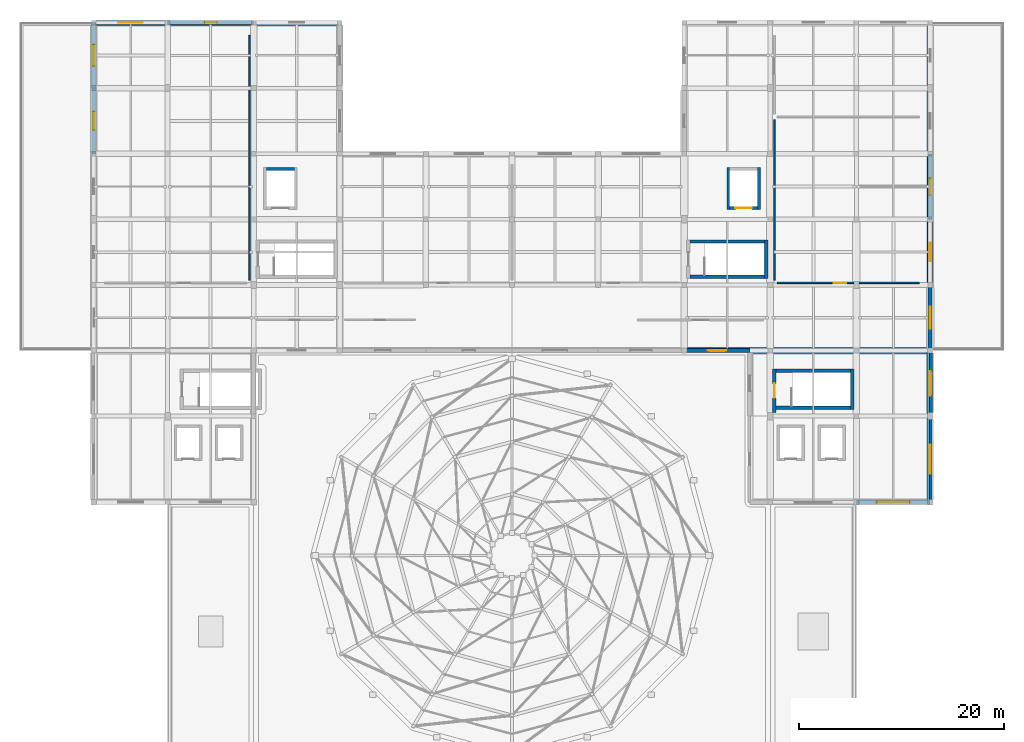
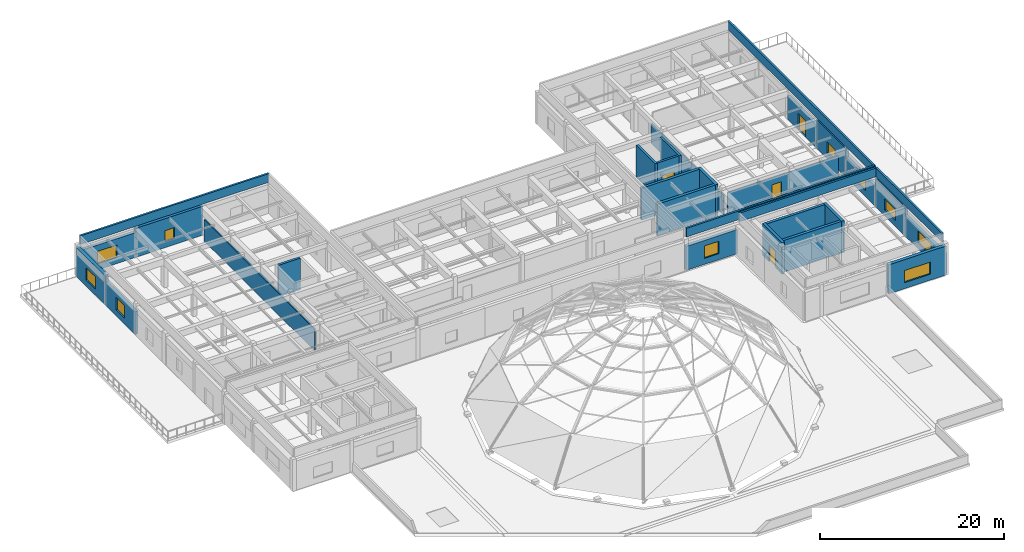
# One storey, part 13 of 18: 30 walls, 10 windows, 4 doors, 14 openings.
"""IFC4 building model written with IfcOpenShell, lengths in metres."""

import ifcopenshell
import ifcopenshell.guid

model = None  # the IFC model being written
_history = None  # IfcOwnerHistory: only IFC2X3 demands one
_inside = {}  # id of a spatial element -> (the spatial element, [elements in it])
_under = {}  # id of a project, library or spatial element -> (it, [spatial elements below it])
_declared = {}  # id of a project -> (the project, [libraries it declares])
_typed = {}  # id of a type object -> (the type object, [elements of that type])
_made_of = {}  # id of a material, layer set ... -> (it, [elements and type objects made of it])


def new_model(schema):
    """Start an empty IFC model of exactly this schema.

    Asked for "IFC4X3", IfcOpenShell would pick the latest addendum, in which some entities
    have other attributes; the version numbers below select the first issue.
    IFC2X3 requires an IfcOwnerHistory on every rooted entity: one is made here for all.
    """
    global model, _history
    if schema == "IFC4X3":
        model = ifcopenshell.file(schema_version=(4, 3, 0, 0))
    else:
        model = ifcopenshell.file(schema=schema)
    _inside.clear()
    _under.clear()
    _declared.clear()
    _typed.clear()
    _made_of.clear()
    _history = None
    if model.schema == "IFC2X3":
        org = make("IfcOrganization", Name="unknown")
        user = make(
            "IfcPersonAndOrganization",
            ThePerson=make("IfcPerson", FamilyName="unknown"),
            TheOrganization=org,
        )
        app = make(
            "IfcApplication",
            ApplicationDeveloper=org,
            Version="unknown",
            ApplicationFullName="unknown",
            ApplicationIdentifier="unknown",
        )
        _history = make(
            "IfcOwnerHistory",
            OwningUser=user,
            OwningApplication=app,
            ChangeAction="ADDED",
            CreationDate=0,
        )
    return model


def make(cls, **values):
    """One entity of the class cls with the attributes given. An attribute that is None is left unset."""
    return model.create_entity(
        cls, **{name: value for name, value in values.items() if value is not None}
    )


def rooted(cls, **values):
    """An entity with a GlobalId (a new one), such as an element, a storey or a relation."""
    return make(cls, GlobalId=ifcopenshell.guid.new(), OwnerHistory=_history, **values)


def si_unit(unit_type, name, prefix=None):
    """IfcSIUnit, for example si_unit("LENGTHUNIT", "METRE", prefix="MILLI")."""
    return make("IfcSIUnit", UnitType=unit_type, Prefix=prefix, Name=name)


def assignment(units):
    """IfcUnitAssignment: the units of a project."""
    return None if units is None else make("IfcUnitAssignment", Units=units)


def point(xyz):
    """IfcCartesianPoint."""
    return None if xyz is None else make("IfcCartesianPoint", Coordinates=xyz)


def direction(xyz):
    """IfcDirection."""
    return None if xyz is None else make("IfcDirection", DirectionRatios=xyz)


def frame(location, z_axis=None, x_axis=None):
    """IfcAxis2Placement3D, a coordinate frame: its origin and axes. An axis left out is left unset."""
    return make(
        "IfcAxis2Placement3D",
        Location=point(location),
        Axis=direction(z_axis),
        RefDirection=direction(x_axis),
    )


def frame_2d(location, x_axis=None):
    """IfcAxis2Placement2D, a coordinate frame in the plane: its origin and x axis."""
    return make(
        "IfcAxis2Placement2D", Location=point(location), RefDirection=direction(x_axis)
    )


def origin():
    """The frame at (0, 0, 0) with its axes left unset."""
    return frame((0.0, 0.0, 0.0))


def place(relative_to, where):
    """IfcLocalPlacement: puts the frame where relative to a parent placement (None: the world)."""
    return make(
        "IfcLocalPlacement", PlacementRelTo=relative_to, RelativePlacement=where
    )


def context(
    kind, dimensions, precision=None, world=None, true_north=None, identifier=None
):
    """IfcGeometricRepresentationContext, for example the 3D "Model" context."""
    return make(
        "IfcGeometricRepresentationContext",
        ContextIdentifier=identifier,
        ContextType=kind,
        CoordinateSpaceDimension=dimensions,
        Precision=precision,
        WorldCoordinateSystem=world,
        TrueNorth=true_north,
    )


def subcontext(parent, identifier, kind, view, scale=None):
    """IfcGeometricRepresentationSubContext, for example "Body" below "Model"."""
    return make(
        "IfcGeometricRepresentationSubContext",
        ContextIdentifier=identifier,
        ContextType=kind,
        ParentContext=parent,
        TargetScale=scale,
        TargetView=view,
    )


def project(units=None, contexts=None):
    """IfcProject with its units and contexts."""
    return rooted(
        "IfcProject",
        Name="project",
        RepresentationContexts=contexts,
        UnitsInContext=assignment(units),
    )


def spatial(cls, under=None, at=None, **own):
    """A site, building, storey or space (cls), placed at a placement, below another one or the project."""
    s = rooted(cls, ObjectPlacement=at, **own)
    if under is not None:
        _under.setdefault(under.id(), (under, []))[1].append(s)
    return s


def profile(cls, at=None, kind="AREA", **sizes):
    """A parametric profile (cls). Its sizes go by their IFC names, for example OverallWidth=200.0."""
    return make(cls, ProfileType=kind, Position=at, **sizes)


def rectangle(**sizes):
    """IfcRectangleProfileDef."""
    return profile("IfcRectangleProfileDef", **sizes)


def extrude(swept, where, along, depth):
    """IfcExtrudedAreaSolid: the profile swept, set in the frame where, extruded along a direction by depth."""
    return make(
        "IfcExtrudedAreaSolid",
        SweptArea=swept,
        Position=where,
        ExtrudedDirection=direction(along),
        Depth=depth,
    )


def shape(context_of_items, identifier, shape_type, items):
    """IfcShapeRepresentation: the items that make up one representation, for example the "Body"."""
    return make(
        "IfcShapeRepresentation",
        ContextOfItems=context_of_items,
        RepresentationIdentifier=identifier,
        RepresentationType=shape_type,
        Items=items,
    )


def material(Name=None, Category=None):
    """IfcMaterial."""
    return make("IfcMaterial", Name=Name, Category=Category)


def layer(
    of_material, thickness, ventilated=None, Name=None, Category=None, Priority=None
):
    """IfcMaterialLayer: one layer of a wall or slab, of a material (None: an air gap)."""
    return make(
        "IfcMaterialLayer",
        Material=of_material,
        LayerThickness=thickness,
        IsVentilated=ventilated,
        Name=Name,
        Category=Category,
        Priority=Priority,
    )


def layer_set(layers, Name=None):
    """IfcMaterialLayerSet."""
    return make("IfcMaterialLayerSet", MaterialLayers=layers, LayerSetName=Name)


def made_of(thing, what):
    """Note that an element or type object is made of a material, layer set ...; save() writes the relation."""
    if what is not None:
        _made_of.setdefault(what.id(), (what, []))[1].append(thing)
    return thing


def type_object(cls, material=None, **own):
    """A type object (cls), such as IfcWallType, which elements share."""
    return made_of(rooted(cls, **own), material)


def element(
    cls,
    number,
    at=None,
    inside=None,
    cuts=None,
    type_object=None,
    material=None,
    context=None,
    identifier="Body",
    shape_type=None,
    held_by="IfcProductDefinitionShape",
    body=None,
    shapes=None,
    **own,
):
    """One element of the class cls, such as IfcWall. Its Tag is "e" and its number.

    at: its placement. inside: the storey or other place that contains it. cuts: it is an
    opening in that element (IfcRelVoidsElement). A single representation is given by context,
    identifier, shape_type and body (its items); several are given by shapes. held_by: the class
    of the entity that holds the representations. save() writes the other relations.
    """
    e = rooted(cls, Tag="e%d" % number, ObjectPlacement=at, **own)
    if body is not None:
        shapes = [shape(context, identifier, shape_type, body)]
    if shapes is not None:
        e.Representation = make(held_by, Representations=shapes)
    if inside is not None:
        _inside.setdefault(inside.id(), (inside, []))[1].append(e)
    if cuts is not None:
        rooted(
            "IfcRelVoidsElement", RelatingBuildingElement=cuts, RelatedOpeningElement=e
        )
    if type_object is not None:
        _typed.setdefault(type_object.id(), (type_object, []))[1].append(e)
    return made_of(e, material)


def fill(opening, filler):
    """IfcRelFillsElement: the door or window that sits in an opening."""
    return rooted(
        "IfcRelFillsElement",
        RelatingOpeningElement=opening,
        RelatedBuildingElement=filler,
    )


def aggregate(whole, parts):
    """IfcRelAggregates: a whole, such as a stair, and the parts it consists of."""
    return rooted("IfcRelAggregates", RelatingObject=whole, RelatedObjects=parts)


def save(model, path):
    """Write the relations noted so far, then the file.

    IfcRelAggregates (storeys below a building ...), IfcRelContainedInSpatialStructure (elements
    in a storey), IfcRelDefinesByType, IfcRelAssociatesMaterial and IfcRelDeclares: one each for
    every whole, place, type object, material and project.
    """
    for whole, parts in _under.values():
        aggregate(whole, parts)
    for where, things in _inside.values():
        rooted(
            "IfcRelContainedInSpatialStructure",
            RelatedElements=things,
            RelatingStructure=where,
        )
    for kind, things in _typed.values():
        rooted("IfcRelDefinesByType", RelatedObjects=things, RelatingType=kind)
    for what, things in _made_of.values():
        rooted("IfcRelAssociatesMaterial", RelatedObjects=things, RelatingMaterial=what)
    for by, libraries in _declared.values():
        rooted("IfcRelDeclares", RelatingContext=by, RelatedDefinitions=libraries)
    model.write(path)


model = new_model("IFC4")

# Units and contexts
model_context = context("Model", 3, precision=1e-05, world=origin(), true_north=direction((0.0, 1.0)))
body_context = subcontext(model_context, "Body", "Model", "MODEL_VIEW")
ifc_project = project(units=[si_unit("LENGTHUNIT", "METRE"), si_unit("AREAUNIT", "SQUARE_METRE"), si_unit("VOLUMEUNIT", "CUBIC_METRE"), si_unit("PLANEANGLEUNIT", "RADIAN"), si_unit("MASSUNIT", "GRAM", prefix="KILO")], contexts=[model_context])

# Site, building, storey
site_placement = place(None, origin())
site = spatial("IfcSite", under=ifc_project, at=site_placement, CompositionType="ELEMENT")
building_placement = place(site_placement, origin())
building = spatial("IfcBuilding", under=site, at=building_placement, Name="Korsvaeld Concert Hall", CompositionType="ELEMENT")
storey_placement = place(building_placement, frame((0.0, 0.0, 17.39990234375)))
storey = spatial("IfcBuildingStorey", under=building, at=storey_placement, Name="L04", CompositionType="ELEMENT", Elevation=17.39990234375)

# Walls
ifc_material_1 = material(Name="Concrete C40/50", Category="concrete")
ifc_layer_1 = layer(ifc_material_1, 0.340087890625)
ifc_layer_set_1 = layer_set([ifc_layer_1], Name="Concrete C40/50")
wall_type_1 = type_object("IfcWallType", Name="WL-CORE-340", PredefinedType="SHEAR", material=ifc_layer_set_1)
wall_1_placement = place(storey_placement, frame((109.77001953125, 77.60009765625, 0.0), z_axis=(0.0, 0.0, 1.0), x_axis=(1.0, 0.0, 0.0)))
element("IfcWall", 1, at=wall_1_placement, inside=storey, type_object=wall_type_1, Name="Core K2 shear wall L04 S", PredefinedType="SHEAR", context=body_context, shape_type="SweptSolid", body=[
    extrude(rectangle(XDim=7.260009765625, YDim=0.340087890625, at=frame_2d((3.6298828125, 0.0))), origin(), (0.0, 0.0, 1.0), 4.2001953125),
])
wall_2_placement = place(storey_placement, frame((117.199951171875, 77.429931640625, 0.0), z_axis=(0.0, 0.0, 1.0), x_axis=(0.0, 1.0, 0.0)))
element("IfcWall", 2, at=wall_2_placement, inside=storey, type_object=wall_type_1, Name="Core K2 shear wall L04 E", PredefinedType="SHEAR", context=body_context, shape_type="SweptSolid", body=[
    extrude(rectangle(XDim=3.97998046875, YDim=0.340087890625, at=frame_2d((1.989990234375, 0.0))), origin(), (0.0, 0.0, 1.0), 4.2001953125),
])
wall_3_placement = place(storey_placement, frame((117.030029296875, 81.239990234375, 0.0), z_axis=(0.0, 0.0, 1.0), x_axis=(-1.0, 0.0, 0.0)))
element("IfcWall", 3, at=wall_3_placement, inside=storey, type_object=wall_type_1, Name="Core K2 shear wall L04 N", PredefinedType="SHEAR", context=body_context, shape_type="SweptSolid", body=[
    extrude(rectangle(XDim=7.260009765625, YDim=0.340087890625, at=frame_2d((3.6298828125, 0.0))), origin(), (0.0, 0.0, 1.0), 4.2001953125),
])

# Wall, opening, door
wall_4_placement = place(storey_placement, frame((109.60009765625, 81.409912109375, 0.0), z_axis=(0.0, 0.0, 1.0), x_axis=(0.0, -1.0, 0.0)))
wall_4 = element("IfcWall", 4, at=wall_4_placement, inside=storey, type_object=wall_type_1, Name="Core K2 shear wall L04 W", PredefinedType="SHEAR", context=body_context, shape_type="SweptSolid", body=[
    extrude(rectangle(XDim=4.23486328125, YDim=0.340087890625, at=frame_2d((2.117431640625, 0.0))), origin(), (0.0, 0.0, 1.0), 4.2001953125),
])
opening_1_placement = place(wall_4_placement, frame((1.41748046875, 0.0, 0.0)))
opening_1 = element("IfcOpeningElement", 5, at=opening_1_placement, cuts=wall_4, Name="Opening FD-02", PredefinedType="OPENING", context=body_context, shape_type="SweptSolid", body=[
    extrude(rectangle(XDim=1.39990234375, YDim=2.14990234375, at=frame_2d((0.699951171875, 1.074951171875))), frame((0.0, 0.18017578125, 0.0), z_axis=(0.0, -1.0, 0.0), x_axis=(1.0, 0.0, 0.0)), (0.0, 0.0, 1.0), 0.360107421875),
])
ifc_material_2 = material(Name="Acoustic steel and oak fire door", Category="steel")
door_type_1 = type_object("IfcDoorType", Name="DR-FD-STAIR-140x215", OperationType="NOTDEFINED", PredefinedType="DOOR", material=ifc_material_2)
door_1_placement = place(opening_1_placement, origin())
door_1 = element("IfcDoor", 6, at=door_1_placement, inside=storey, type_object=door_type_1, Name="Escape stair ST-K2 fire door L04", OperationType="SINGLE_SWING_RIGHT", OverallHeight=2.14990234375, OverallWidth=1.39990234375, PredefinedType="DOOR", context=body_context, shape_type="SweptSolid", body=[
    extrude(rectangle(XDim=1.39990234375, YDim=2.14990234375, at=frame_2d((0.699951171875, 1.074951171875))), frame((0.0, 0.02490234375, 0.0), z_axis=(0.0, -1.0, 0.0), x_axis=(1.0, 0.0, 0.0)), (0.0, 0.0, 1.0), 0.050048828125),
])
fill(opening_1, door_1)

# Walls
wall_5_placement = place(storey_placement, frame((101.3701171875, 90.39990234375, 0.0), z_axis=(0.0, 0.0, 1.0), x_axis=(1.0, 0.0, 0.0)))
element("IfcWall", 7, at=wall_5_placement, inside=storey, type_object=wall_type_1, Name="Core K6 shear wall L04 S", PredefinedType="SHEAR", context=body_context, shape_type="SweptSolid", body=[
    extrude(rectangle(XDim=7.259765625, YDim=0.340087890625, at=frame_2d((3.6298828125, 0.0))), origin(), (0.0, 0.0, 1.0), 4.2001953125),
])
wall_6_placement = place(storey_placement, frame((108.800048828125, 90.22998046875, 0.0), z_axis=(0.0, 0.0, 1.0), x_axis=(0.0, 1.0, 0.0)))
element("IfcWall", 8, at=wall_6_placement, inside=storey, type_object=wall_type_1, Name="Core K6 shear wall L04 E", PredefinedType="SHEAR", context=body_context, shape_type="SweptSolid", body=[
    extrude(rectangle(XDim=3.780029296875, YDim=0.340087890625, at=frame_2d((1.89013671875, 0.0))), origin(), (0.0, 0.0, 1.0), 4.2001953125),
])
wall_7_placement = place(storey_placement, frame((108.6298828125, 93.840087890625, 0.0), z_axis=(0.0, 0.0, 1.0), x_axis=(-1.0, 0.0, 0.0)))
element("IfcWall", 9, at=wall_7_placement, inside=storey, type_object=wall_type_1, Name="Core K6 shear wall L04 N", PredefinedType="SHEAR", context=body_context, shape_type="SweptSolid", body=[
    extrude(rectangle(XDim=7.259765625, YDim=0.340087890625, at=frame_2d((3.6298828125, 0.0))), origin(), (0.0, 0.0, 1.0), 4.2001953125),
])

# Wall, opening, window
ifc_material_3 = material(Name="Obernkirchener buff sandstone rainscreen on Concrete C35/45", Category="masonry")
ifc_layer_2 = layer(ifc_material_3, 0.389892578125)
ifc_layer_set_2 = layer_set([ifc_layer_2], Name="Obernkirchener buff sandstone rainscreen on Concrete C35/45")
wall_type_2 = type_object("IfcWallType", Name="WL-EXT-BUFF-390", PredefinedType="STANDARD", material=ifc_layer_set_2)
wall_8_placement = place(storey_placement, frame((43.199951171875, 102.39990234375, 0.0), z_axis=(0.0, 0.0, 1.0), x_axis=(0.0, 1.0, 0.0)))
wall_8 = element("IfcWall", 10, at=wall_8_placement, inside=storey, type_object=wall_type_2, Name="Exterior sandstone wall L04-336", PredefinedType="STANDARD", context=body_context, shape_type="SweptSolid", body=[
    extrude(rectangle(XDim=6.400146484375, YDim=0.389892578125, at=frame_2d((3.2001953125, 0.0))), origin(), (0.0, 0.0, 1.0), 2.989990234375),
])
opening_2_placement = place(wall_8_placement, frame((2.300048828125, 0.0, 0.800048828125)))
opening_2 = element("IfcOpeningElement", 11, at=opening_2_placement, cuts=wall_8, Name="Opening WN-03", PredefinedType="OPENING", context=body_context, shape_type="SweptSolid", body=[
    extrude(rectangle(XDim=1.800048828125, YDim=1.64990234375, at=frame_2d((0.89990234375, 0.824951171875))), frame((0.0, 0.205078125, 0.0), z_axis=(0.0, -1.0, 0.0), x_axis=(1.0, 0.0, 0.0)), (0.0, 0.0, 1.0), 0.409912109375),
])
ifc_material_4 = material(Name="Anodised bronze frame with acoustic triple glazing", Category="glass")
window_type_1 = type_object("IfcWindowType", Name="WIN-AC-180x165", PartitioningType="SINGLE_PANEL", PredefinedType="WINDOW", material=ifc_material_4)
window_1_placement = place(opening_2_placement, origin())
window_1 = element("IfcWindow", 12, at=window_1_placement, inside=storey, type_object=window_type_1, Name="Acoustic triple-glazed window L04-224", OverallHeight=1.64990234375, OverallWidth=1.800048828125, PartitioningType="SINGLE_PANEL", PredefinedType="WINDOW", context=body_context, shape_type="SweptSolid", body=[
    extrude(rectangle(XDim=1.800048828125, YDim=1.64990234375, at=frame_2d((0.89990234375, 0.824951171875))), frame((0.0, 0.030029296875, 0.0), z_axis=(0.0, -1.0, 0.0), x_axis=(1.0, 0.0, 0.0)), (0.0, 0.0, 1.0), 0.06005859375),
])
fill(opening_2, window_1)

wall_9_placement = place(storey_placement, frame((43.199951171875, 115.199951171875, 0.0), z_axis=(0.0, 0.0, 1.0), x_axis=(1.0, 0.0, 0.0)))
wall_9 = element("IfcWall", 13, at=wall_9_placement, inside=storey, type_object=wall_type_2, Name="Exterior sandstone wall L04-338", PredefinedType="STANDARD", context=body_context, shape_type="SweptSolid", body=[
    extrude(rectangle(XDim=7.199951171875, YDim=0.389892578125, at=frame_2d((3.60009765625, 0.0))), origin(), (0.0, 0.0, 1.0), 3.2900390625),
])
opening_3_placement = place(wall_9_placement, frame((2.39990234375, 0.0, 0.800048828125)))
opening_3 = element("IfcOpeningElement", 14, at=opening_3_placement, cuts=wall_9, Name="Opening WN-05", PredefinedType="OPENING", context=body_context, shape_type="SweptSolid", body=[
    extrude(rectangle(XDim=2.39990234375, YDim=1.64990234375, at=frame_2d((1.199951171875, 0.824951171875))), frame((0.0, 0.205078125, 0.0), z_axis=(0.0, -1.0, 0.0), x_axis=(1.0, 0.0, 0.0)), (0.0, 0.0, 1.0), 0.409912109375),
])
window_type_2 = type_object("IfcWindowType", Name="WIN-AC-240x165", PartitioningType="TRIPLE_PANEL_VERTICAL", PredefinedType="WINDOW", material=ifc_material_4)
window_2_placement = place(opening_3_placement, origin())
window_2 = element("IfcWindow", 15, at=window_2_placement, inside=storey, type_object=window_type_2, Name="Acoustic triple-glazed window L04-226", OverallHeight=1.64990234375, OverallWidth=2.39990234375, PartitioningType="TRIPLE_PANEL_VERTICAL", PredefinedType="WINDOW", context=body_context, shape_type="SweptSolid", body=[
    extrude(rectangle(XDim=2.39990234375, YDim=1.64990234375, at=frame_2d((1.199951171875, 0.824951171875))), frame((0.0, 0.030029296875, 0.0), z_axis=(0.0, -1.0, 0.0), x_axis=(1.0, 0.0, 0.0)), (0.0, 0.0, 1.0), 0.06005859375),
])
fill(opening_3, window_2)

# Wall, opening, door
wall_10_placement = place(storey_placement, frame((124.800048828125, 102.39990234375, 0.0), z_axis=(0.0, 0.0, 1.0), x_axis=(0.0, -1.0, 0.0)))
wall_10 = element("IfcWall", 16, at=wall_10_placement, inside=storey, type_object=wall_type_2, Name="Exterior sandstone wall L04-354", PredefinedType="STANDARD", context=body_context, shape_type="SweptSolid", body=[
    extrude(rectangle(XDim=6.39990234375, YDim=0.389892578125, at=frame_2d((3.199951171875, 0.0))), origin(), (0.0, 0.0, 1.0), 3.0400390625),
])
opening_4_placement = place(wall_10_placement, frame((2.39990234375, 0.0, 0.0)))
opening_4 = element("IfcOpeningElement", 17, at=opening_4_placement, cuts=wall_10, Name="Opening TD-02", PredefinedType="OPENING", context=body_context, shape_type="SweptSolid", body=[
    extrude(rectangle(XDim=1.60009765625, YDim=2.199951171875, at=frame_2d((0.800048828125, 1.10009765625))), frame((0.0, 0.205078125, 0.0), z_axis=(0.0, -1.0, 0.0), x_axis=(1.0, 0.0, 0.0)), (0.0, 0.0, 1.0), 0.409912109375),
])
ifc_material_5 = material(Name="Anodised bronze terrace door")
door_type_2 = type_object("IfcDoorType", Name="DR-TER-160x220", OperationType="DOUBLE_DOOR_SINGLE_SWING", PredefinedType="DOOR", material=ifc_material_5)
door_2_placement = place(opening_4_placement, frame((1.60009765625, 0.0, 0.0), z_axis=(0.0, 0.0, 1.0), x_axis=(-1.0, 0.0, 0.0)))
door_2 = element("IfcDoor", 18, at=door_2_placement, inside=storey, type_object=door_type_2, Name="Roof-garden terrace access door TER_L04_NE", OperationType="DOUBLE_DOOR_SINGLE_SWING", OverallHeight=2.199951171875, OverallWidth=1.60009765625, PredefinedType="DOOR", context=body_context, shape_type="SweptSolid", body=[
    extrude(rectangle(XDim=1.60009765625, YDim=2.199951171875, at=frame_2d((0.800048828125, 1.10009765625))), frame((0.0, 0.02490234375, 0.0), z_axis=(0.0, -1.0, 0.0), x_axis=(1.0, 0.0, 0.0)), (0.0, 0.0, 1.0), 0.050048828125),
])
fill(opening_4, door_2)

# Wall, opening, window
wall_11_placement = place(storey_placement, frame((124.800048828125, 89.60009765625, 0.0), z_axis=(0.0, 0.0, 1.0), x_axis=(0.0, -1.0, 0.0)))
wall_11 = element("IfcWall", 19, at=wall_11_placement, inside=storey, type_object=wall_type_2, Name="Exterior sandstone wall L04-356", PredefinedType="STANDARD", context=body_context, shape_type="SweptSolid", body=[
    extrude(rectangle(XDim=6.400146484375, YDim=0.389892578125, at=frame_2d((3.2001953125, 0.0))), origin(), (0.0, 0.0, 1.0), 2.64013671875),
])
opening_5_placement = place(wall_11_placement, frame((2.14990234375, 0.0, 0.800048828125)))
opening_5 = element("IfcOpeningElement", 20, at=opening_5_placement, cuts=wall_11, Name="Opening WN-09", PredefinedType="OPENING", context=body_context, shape_type="SweptSolid", body=[
    extrude(rectangle(XDim=2.10009765625, YDim=1.449951171875, at=frame_2d((1.050048828125, 0.72509765625))), frame((0.0, 0.205078125, 0.0), z_axis=(0.0, -1.0, 0.0), x_axis=(1.0, 0.0, 0.0)), (0.0, 0.0, 1.0), 0.409912109375),
])
window_type_3 = type_object("IfcWindowType", Name="WIN-AC-210x145", PartitioningType="SINGLE_PANEL", PredefinedType="WINDOW", material=ifc_material_4)
window_3_placement = place(opening_5_placement, origin())
window_3 = element("IfcWindow", 21, at=window_3_placement, inside=storey, type_object=window_type_3, Name="Acoustic triple-glazed window L04-243", OverallHeight=1.449951171875, OverallWidth=2.10009765625, PartitioningType="SINGLE_PANEL", PredefinedType="WINDOW", context=body_context, shape_type="SweptSolid", body=[
    extrude(rectangle(XDim=2.10009765625, YDim=1.449951171875, at=frame_2d((1.050048828125, 0.72509765625))), frame((0.0, 0.030029296875, 0.0), z_axis=(0.0, -1.0, 0.0), x_axis=(1.0, 0.0, 0.0)), (0.0, 0.0, 1.0), 0.06005859375),
])
fill(opening_5, window_3)

wall_12_placement = place(storey_placement, frame((124.800048828125, 76.800048828125, 0.0), z_axis=(0.0, 0.0, 1.0), x_axis=(0.0, -1.0, 0.0)))
wall_12 = element("IfcWall", 22, at=wall_12_placement, inside=storey, type_object=wall_type_2, Name="Exterior sandstone wall L04-358", PredefinedType="STANDARD", context=body_context, shape_type="SweptSolid", body=[
    extrude(rectangle(XDim=8.400146484375, YDim=0.389892578125, at=frame_2d((4.2001953125, 0.0))), origin(), (0.0, 0.0, 1.0), 2.739990234375),
])
opening_6_placement = place(wall_12_placement, frame((2.800048828125, 0.0, 0.800048828125)))
opening_6 = element("IfcOpeningElement", 23, at=opening_6_placement, cuts=wall_12, Name="Opening WN-14", PredefinedType="OPENING", context=body_context, shape_type="SweptSolid", body=[
    extrude(rectangle(XDim=2.800048828125, YDim=1.60009765625, at=frame_2d((1.39990234375, 0.800048828125))), frame((0.0, 0.205078125, 0.0), z_axis=(0.0, -1.0, 0.0), x_axis=(1.0, 0.0, 0.0)), (0.0, 0.0, 1.0), 0.409912109375),
])
window_type_4 = type_object("IfcWindowType", Name="WIN-AC-280x160", PartitioningType="TRIPLE_PANEL_VERTICAL", PredefinedType="WINDOW", material=ifc_material_4)
window_4_placement = place(opening_6_placement, origin())
window_4 = element("IfcWindow", 24, at=window_4_placement, inside=storey, type_object=window_type_4, Name="Acoustic triple-glazed window L04-245", OverallHeight=1.60009765625, OverallWidth=2.800048828125, PartitioningType="TRIPLE_PANEL_VERTICAL", PredefinedType="WINDOW", context=body_context, shape_type="SweptSolid", body=[
    extrude(rectangle(XDim=2.800048828125, YDim=1.60009765625, at=frame_2d((1.39990234375, 0.800048828125))), frame((0.0, 0.030029296875, 0.0), z_axis=(0.0, -1.0, 0.0), x_axis=(1.0, 0.0, 0.0)), (0.0, 0.0, 1.0), 0.06005859375),
])
fill(opening_6, window_4)

wall_13_placement = place(storey_placement, frame((107.199951171875, 83.199951171875, 0.0), z_axis=(0.0, 0.0, 1.0), x_axis=(-1.0, 0.0, 0.0)))
wall_13 = element("IfcWall", 25, at=wall_13_placement, inside=storey, type_object=wall_type_2, Name="Exterior sandstone wall L04-364", PredefinedType="STANDARD", context=body_context, shape_type="SweptSolid", body=[
    extrude(rectangle(XDim=6.39990234375, YDim=0.389892578125, at=frame_2d((3.199951171875, 0.0))), origin(), (0.0, 0.0, 1.0), 3.190185546875),
])
opening_7_placement = place(wall_13_placement, frame((2.300048828125, 0.0, 0.800048828125)))
opening_7 = element("IfcOpeningElement", 26, at=opening_7_placement, cuts=wall_13, Name="Opening WN-03", PredefinedType="OPENING", context=body_context, shape_type="SweptSolid", body=[
    extrude(rectangle(XDim=1.800048828125, YDim=1.64990234375, at=frame_2d((0.89990234375, 0.824951171875))), frame((0.0, 0.205078125, 0.0), z_axis=(0.0, -1.0, 0.0), x_axis=(1.0, 0.0, 0.0)), (0.0, 0.0, 1.0), 0.409912109375),
])
window_5_placement = place(opening_7_placement, origin())
window_5 = element("IfcWindow", 27, at=window_5_placement, inside=storey, type_object=window_type_1, Name="Acoustic triple-glazed window L04-250", OverallHeight=1.64990234375, OverallWidth=1.800048828125, PartitioningType="SINGLE_PANEL", PredefinedType="WINDOW", context=body_context, shape_type="SweptSolid", body=[
    extrude(rectangle(XDim=1.800048828125, YDim=1.64990234375, at=frame_2d((0.89990234375, 0.824951171875))), frame((0.0, 0.030029296875, 0.0), z_axis=(0.0, -1.0, 0.0), x_axis=(1.0, 0.0, 0.0)), (0.0, 0.0, 1.0), 0.06005859375),
])
fill(opening_7, window_5)

ifc_material_6 = material(Name="Bornholm Nexo rose-red sandstone rainscreen on Concrete C35/45", Category="masonry")
ifc_layer_3 = layer(ifc_material_6, 0.419921875)
ifc_layer_set_3 = layer_set([ifc_layer_3], Name="Bornholm Nexo rose-red sandstone rainscreen on Concrete C35/45")
wall_type_3 = type_object("IfcWallType", Name="WL-EXT-NEXO-420", PredefinedType="STANDARD", material=ifc_layer_set_3)
wall_14_placement = place(storey_placement, frame((43.199951171875, 108.800048828125, 0.0), z_axis=(0.0, 0.0, 1.0), x_axis=(0.0, 1.0, 0.0)))
wall_14 = element("IfcWall", 28, at=wall_14_placement, inside=storey, type_object=wall_type_3, Name="Exterior sandstone wall L04-337", PredefinedType="STANDARD", context=body_context, shape_type="SweptSolid", body=[
    extrude(rectangle(XDim=6.39990234375, YDim=0.419921875, at=frame_2d((3.199951171875, 0.0))), origin(), (0.0, 0.0, 1.0), 3.840087890625),
])
opening_8_placement = place(wall_14_placement, frame((2.14990234375, 0.0, 0.800048828125)))
opening_8 = element("IfcOpeningElement", 29, at=opening_8_placement, cuts=wall_14, Name="Opening WN-04", PredefinedType="OPENING", context=body_context, shape_type="SweptSolid", body=[
    extrude(rectangle(XDim=2.10009765625, YDim=1.64990234375, at=frame_2d((1.050048828125, 0.824951171875))), frame((0.0, 0.219970703125, 0.0), z_axis=(0.0, -1.0, 0.0), x_axis=(1.0, 0.0, 0.0)), (0.0, 0.0, 1.0), 0.43994140625),
])
window_type_5 = type_object("IfcWindowType", Name="WIN-AC-210x165", PartitioningType="SINGLE_PANEL", PredefinedType="WINDOW", material=ifc_material_4)
window_6_placement = place(opening_8_placement, origin())
window_6 = element("IfcWindow", 30, at=window_6_placement, inside=storey, type_object=window_type_5, Name="Acoustic triple-glazed window L04-225", OverallHeight=1.64990234375, OverallWidth=2.10009765625, PartitioningType="SINGLE_PANEL", PredefinedType="WINDOW", context=body_context, shape_type="SweptSolid", body=[
    extrude(rectangle(XDim=2.10009765625, YDim=1.64990234375, at=frame_2d((1.050048828125, 0.824951171875))), frame((0.0, 0.030029296875, 0.0), z_axis=(0.0, -1.0, 0.0), x_axis=(1.0, 0.0, 0.0)), (0.0, 0.0, 1.0), 0.06005859375),
])
fill(opening_8, window_6)

wall_15_placement = place(storey_placement, frame((50.39990234375, 115.199951171875, 0.0), z_axis=(0.0, 0.0, 1.0), x_axis=(1.0, 0.0, 0.0)))
wall_15 = element("IfcWall", 31, at=wall_15_placement, inside=storey, type_object=wall_type_3, Name="Exterior sandstone wall L04-339", PredefinedType="STANDARD", context=body_context, shape_type="SweptSolid", body=[
    extrude(rectangle(XDim=8.400146484375, YDim=0.419921875, at=frame_2d((4.2001953125, 0.0))), origin(), (0.0, 0.0, 1.0), 3.840087890625),
])
opening_9_placement = place(wall_15_placement, frame((3.60009765625, 0.0, 0.800048828125)))
opening_9 = element("IfcOpeningElement", 32, at=opening_9_placement, cuts=wall_15, Name="Opening WN-06", PredefinedType="OPENING", context=body_context, shape_type="SweptSolid", body=[
    extrude(rectangle(XDim=1.199951171875, YDim=1.449951171875, at=frame_2d((0.60009765625, 0.72509765625))), frame((0.0, 0.219970703125, 0.0), z_axis=(0.0, -1.0, 0.0), x_axis=(1.0, 0.0, 0.0)), (0.0, 0.0, 1.0), 0.43994140625),
])
window_type_6 = type_object("IfcWindowType", Name="WIN-AC-120x145", PartitioningType="SINGLE_PANEL", PredefinedType="WINDOW", material=ifc_material_4)
window_7_placement = place(opening_9_placement, origin())
window_7 = element("IfcWindow", 33, at=window_7_placement, inside=storey, type_object=window_type_6, Name="Acoustic triple-glazed window L04-227", OverallHeight=1.449951171875, OverallWidth=1.199951171875, PartitioningType="SINGLE_PANEL", PredefinedType="WINDOW", context=body_context, shape_type="SweptSolid", body=[
    extrude(rectangle(XDim=1.199951171875, YDim=1.449951171875, at=frame_2d((0.60009765625, 0.72509765625))), frame((0.0, 0.030029296875, 0.0), z_axis=(0.0, -1.0, 0.0), x_axis=(1.0, 0.0, 0.0)), (0.0, 0.0, 1.0), 0.06005859375),
])
fill(opening_9, window_7)

wall_16_placement = place(storey_placement, frame((124.800048828125, 96.0, 0.0), z_axis=(0.0, 0.0, 1.0), x_axis=(0.0, -1.0, 0.0)))
wall_16 = element("IfcWall", 34, at=wall_16_placement, inside=storey, type_object=wall_type_3, Name="Exterior sandstone wall L04-355", PredefinedType="STANDARD", context=body_context, shape_type="SweptSolid", body=[
    extrude(rectangle(XDim=6.39990234375, YDim=0.419921875, at=frame_2d((3.199951171875, 0.0))), origin(), (0.0, 0.0, 1.0), 3.840087890625),
])
opening_10_placement = place(wall_16_placement, frame((2.300048828125, 0.0, 0.800048828125)))
opening_10 = element("IfcOpeningElement", 35, at=opening_10_placement, cuts=wall_16, Name="Opening WN-08", PredefinedType="OPENING", context=body_context, shape_type="SweptSolid", body=[
    extrude(rectangle(XDim=1.800048828125, YDim=1.449951171875, at=frame_2d((0.89990234375, 0.72509765625))), frame((0.0, 0.219970703125, 0.0), z_axis=(0.0, -1.0, 0.0), x_axis=(1.0, 0.0, 0.0)), (0.0, 0.0, 1.0), 0.43994140625),
])
window_type_7 = type_object("IfcWindowType", Name="WIN-AC-180x145", PartitioningType="SINGLE_PANEL", PredefinedType="WINDOW", material=ifc_material_4)
window_8_placement = place(opening_10_placement, origin())
window_8 = element("IfcWindow", 36, at=window_8_placement, inside=storey, type_object=window_type_7, Name="Acoustic triple-glazed window L04-242", OverallHeight=1.449951171875, OverallWidth=1.800048828125, PartitioningType="SINGLE_PANEL", PredefinedType="WINDOW", context=body_context, shape_type="SweptSolid", body=[
    extrude(rectangle(XDim=1.800048828125, YDim=1.449951171875, at=frame_2d((0.89990234375, 0.72509765625))), frame((0.0, 0.030029296875, 0.0), z_axis=(0.0, -1.0, 0.0), x_axis=(1.0, 0.0, 0.0)), (0.0, 0.0, 1.0), 0.06005859375),
])
fill(opening_10, window_8)

wall_17_placement = place(storey_placement, frame((124.800048828125, 83.199951171875, 0.0), z_axis=(0.0, 0.0, 1.0), x_axis=(0.0, -1.0, 0.0)))
wall_17 = element("IfcWall", 37, at=wall_17_placement, inside=storey, type_object=wall_type_3, Name="Exterior sandstone wall L04-357", PredefinedType="STANDARD", context=body_context, shape_type="SweptSolid", body=[
    extrude(rectangle(XDim=6.39990234375, YDim=0.419921875, at=frame_2d((3.199951171875, 0.0))), origin(), (0.0, 0.0, 1.0), 3.840087890625),
])
opening_11_placement = place(wall_17_placement, frame((2.0, 0.0, 0.800048828125)))
opening_11 = element("IfcOpeningElement", 38, at=opening_11_placement, cuts=wall_17, Name="Opening WN-10", PredefinedType="OPENING", context=body_context, shape_type="SweptSolid", body=[
    extrude(rectangle(XDim=2.39990234375, YDim=1.449951171875, at=frame_2d((1.199951171875, 0.72509765625))), frame((0.0, 0.219970703125, 0.0), z_axis=(0.0, -1.0, 0.0), x_axis=(1.0, 0.0, 0.0)), (0.0, 0.0, 1.0), 0.43994140625),
])
window_type_8 = type_object("IfcWindowType", Name="WIN-AC-240x145", PartitioningType="TRIPLE_PANEL_VERTICAL", PredefinedType="WINDOW", material=ifc_material_4)
window_9_placement = place(opening_11_placement, origin())
window_9 = element("IfcWindow", 39, at=window_9_placement, inside=storey, type_object=window_type_8, Name="Acoustic triple-glazed window L04-244", OverallHeight=1.449951171875, OverallWidth=2.39990234375, PartitioningType="TRIPLE_PANEL_VERTICAL", PredefinedType="WINDOW", context=body_context, shape_type="SweptSolid", body=[
    extrude(rectangle(XDim=2.39990234375, YDim=1.449951171875, at=frame_2d((1.199951171875, 0.72509765625))), frame((0.0, 0.030029296875, 0.0), z_axis=(0.0, -1.0, 0.0), x_axis=(1.0, 0.0, 0.0)), (0.0, 0.0, 1.0), 0.06005859375),
])
fill(opening_11, window_9)

wall_18_placement = place(storey_placement, frame((124.800048828125, 68.39990234375, 0.0), z_axis=(0.0, 0.0, 1.0), x_axis=(-1.0, 0.0, 0.0)))
wall_18 = element("IfcWall", 40, at=wall_18_placement, inside=storey, type_object=wall_type_3, Name="Exterior sandstone wall L04-359", PredefinedType="STANDARD", context=body_context, shape_type="SweptSolid", body=[
    extrude(rectangle(XDim=7.199951171875, YDim=0.419921875, at=frame_2d((3.60009765625, 0.0))), origin(), (0.0, 0.0, 1.0), 3.840087890625),
])
opening_12_placement = place(wall_18_placement, frame((2.0, 0.0, 0.800048828125)))
opening_12 = element("IfcOpeningElement", 41, at=opening_12_placement, cuts=wall_18, Name="Opening WN-15", PredefinedType="OPENING", context=body_context, shape_type="SweptSolid", body=[
    extrude(rectangle(XDim=3.199951171875, YDim=1.60009765625, at=frame_2d((1.60009765625, 0.800048828125))), frame((0.0, 0.219970703125, 0.0), z_axis=(0.0, -1.0, 0.0), x_axis=(1.0, 0.0, 0.0)), (0.0, 0.0, 1.0), 0.43994140625),
])
window_type_9 = type_object("IfcWindowType", Name="WIN-AC-320x160", PartitioningType="TRIPLE_PANEL_VERTICAL", PredefinedType="WINDOW", material=ifc_material_4)
window_10_placement = place(opening_12_placement, origin())
window_10 = element("IfcWindow", 42, at=window_10_placement, inside=storey, type_object=window_type_9, Name="Acoustic triple-glazed window L04-246", OverallHeight=1.60009765625, OverallWidth=3.199951171875, PartitioningType="TRIPLE_PANEL_VERTICAL", PredefinedType="WINDOW", context=body_context, shape_type="SweptSolid", body=[
    extrude(rectangle(XDim=3.199951171875, YDim=1.60009765625, at=frame_2d((1.60009765625, 0.800048828125))), frame((0.0, 0.030029296875, 0.0), z_axis=(0.0, -1.0, 0.0), x_axis=(1.0, 0.0, 0.0)), (0.0, 0.0, 1.0), 0.06005859375),
])
fill(opening_12, window_10)

# Walls
ifc_material_7 = material(Name="Bornholm Nexo sandstone parapet on Concrete C35/45", Category="masonry")
ifc_layer_4 = layer(ifc_material_7, 0.239990234375)
ifc_layer_set_4 = layer_set([ifc_layer_4], Name="Bornholm Nexo sandstone parapet on Concrete C35/45")
wall_type_4 = type_object("IfcWallType", Name="WL-PARAPET-240", PredefinedType="PARAPET", material=ifc_layer_set_4)
wall_19_placement = place(storey_placement, frame((124.60009765625, 68.60009765625, 4.2001953125), z_axis=(0.0, 0.0, 1.0), x_axis=(0.0, 1.0, 0.0)))
element("IfcWall", 43, at=wall_19_placement, inside=storey, type_object=wall_type_4, Name="Roof parapet SLB-ROOF_TOP_K2-2", PredefinedType="PARAPET", context=body_context, shape_type="SweptSolid", body=[
    extrude(rectangle(XDim=14.39990234375, YDim=0.239990234375, at=frame_2d((7.199951171875, 0.0))), origin(), (0.0, 0.0, 1.0), 1.14990234375),
])
wall_20_placement = place(storey_placement, frame((124.60009765625, 83.0, 4.2001953125), z_axis=(0.0, 0.0, 1.0), x_axis=(-1.0, 0.0, 0.0)))
element("IfcWall", 44, at=wall_20_placement, inside=storey, type_object=wall_type_4, Name="Roof parapet SLB-ROOF_TOP_K2-3", PredefinedType="PARAPET", context=body_context, shape_type="SweptSolid", body=[
    extrude(rectangle(XDim=17.2001953125, YDim=0.239990234375, at=frame_2d((8.60009765625, 0.0))), origin(), (0.0, 0.0, 1.0), 1.14990234375),
])
for number, where, z_axis, x_axis, name in (
    (45, (67.0, 115.0, 4.2001953125), (0.0, 0.0, 1.0), (-1.0, 0.0, 0.0), "Roof parapet SLB-ROOF_TOP_V5W-3"),
    (46, (101.0, 83.39990234375, 4.2001953125), (0.0, 0.0, 1.0), (1.0, 0.0, 0.0), "Roof parapet SLB-ROOF_TOP_V5E-1"),
):
    element("IfcWall", number, at=place(storey_placement, frame(where, z_axis=z_axis, x_axis=x_axis)), inside=storey, type_object=wall_type_4, Name=name, PredefinedType="PARAPET", context=body_context, shape_type="SweptSolid", body=[
        extrude(rectangle(XDim=23.60009765625, YDim=0.239990234375, at=frame_2d((11.800048828125, 0.0))), origin(), (0.0, 0.0, 1.0), 1.14990234375),
    ])
wall_21_placement = place(storey_placement, frame((124.60009765625, 83.39990234375, 4.2001953125), z_axis=(0.0, 0.0, 1.0), x_axis=(0.0, 1.0, 0.0)))
element("IfcWall", 47, at=wall_21_placement, inside=storey, type_object=wall_type_4, Name="Roof parapet SLB-ROOF_TOP_V5E-2", PredefinedType="PARAPET", context=body_context, shape_type="SweptSolid", body=[
    extrude(rectangle(XDim=31.60009765625, YDim=0.239990234375, at=frame_2d((15.800048828125, 0.0))), origin(), (0.0, 0.0, 1.0), 1.14990234375),
])
ifc_material_8 = material(Name="Double-stud acoustic rehearsal partition")
ifc_layer_5 = layer(ifc_material_8, 0.159912109375)
ifc_layer_set_5 = layer_set([ifc_layer_5], Name="Double-stud acoustic rehearsal partition")
wall_type_5 = type_object("IfcWallType", Name="WL-PART-160", PredefinedType="PARTITIONING", material=ifc_layer_set_5)
wall_22_placement = place(storey_placement, frame((58.39990234375, 90.06005859375, 0.0), z_axis=(0.0, 0.0, 1.0), x_axis=(0.0, 1.0, 0.0)))
element("IfcWall", 48, at=wall_22_placement, inside=storey, type_object=wall_type_5, Name="Interior partition L04-03 E", PredefinedType="PARTITIONING", context=body_context, shape_type="SweptSolid", body=[
    extrude(rectangle(XDim=23.8798828125, YDim=0.159912109375, at=frame_2d((11.93994140625, 0.0))), origin(), (0.0, 0.0, 1.0), 2.864990234375),
])

# Wall, opening, door
wall_23_placement = place(storey_placement, frame((109.860107421875, 89.800048828125, 0.0), z_axis=(0.0, 0.0, 1.0), x_axis=(1.0, 0.0, 0.0)))
wall_23 = element("IfcWall", 49, at=wall_23_placement, inside=storey, type_object=wall_type_5, Name="Interior partition L04-06 S", PredefinedType="PARTITIONING", context=body_context, shape_type="SweptSolid", body=[
    extrude(rectangle(XDim=13.8798828125, YDim=0.159912109375, at=frame_2d((6.93994140625, 0.0))), origin(), (0.0, 0.0, 1.0), 3.065185546875),
])
opening_13_placement = place(wall_23_placement, frame((5.5400390625, 0.0, 0.0)))
opening_13 = element("IfcOpeningElement", 50, at=opening_13_placement, cuts=wall_23, Name="Opening ID-01", PredefinedType="OPENING", context=body_context, shape_type="SweptSolid", body=[
    extrude(rectangle(XDim=1.199951171875, YDim=2.14990234375, at=frame_2d((0.60009765625, 1.074951171875))), frame((0.0, 0.08984375, 0.0), z_axis=(0.0, -1.0, 0.0), x_axis=(1.0, 0.0, 0.0)), (0.0, 0.0, 1.0), 0.179931640625),
])
ifc_material_9 = material(Name="Solid European oak acoustic studio door")
door_type_3 = type_object("IfcDoorType", Name="DR-INT-REH-120x215", OperationType="NOTDEFINED", PredefinedType="DOOR", material=ifc_material_9)
door_3_placement = place(opening_13_placement, origin())
door_3 = element("IfcDoor", 51, at=door_3_placement, inside=storey, type_object=door_type_3, Name="Upper Chamber Rehearsal & Composition Studio door L04-06", OperationType="SINGLE_SWING_LEFT", OverallHeight=2.14990234375, OverallWidth=1.199951171875, PredefinedType="DOOR", context=body_context, shape_type="SweptSolid", body=[
    extrude(rectangle(XDim=1.199951171875, YDim=2.14990234375, at=frame_2d((0.60009765625, 1.074951171875))), frame((0.0, 0.02490234375, 0.0), z_axis=(0.0, -1.0, 0.0), x_axis=(1.0, 0.0, 0.0)), (0.0, 0.0, 1.0), 0.050048828125),
])
fill(opening_13, door_3)

# Walls
wall_24_placement = place(storey_placement, frame((109.60009765625, 105.739990234375, 0.0), z_axis=(0.0, 0.0, 1.0), x_axis=(0.0, -1.0, 0.0)))
element("IfcWall", 52, at=wall_24_placement, inside=storey, type_object=wall_type_5, Name="Interior partition L04-06 W", PredefinedType="PARTITIONING", context=body_context, shape_type="SweptSolid", body=[
    extrude(rectangle(XDim=15.679931640625, YDim=0.159912109375, at=frame_2d((7.83984375, 0.0))), origin(), (0.0, 0.0, 1.0), 2.614990234375),
])
ifc_layer_6 = layer(ifc_material_1, 0.280029296875)
ifc_layer_set_6 = layer_set([ifc_layer_6], Name="Concrete C40/50")
wall_type_6 = type_object("IfcWallType", Name="WL-SHAFT-280", PredefinedType="SHEAR", material=ifc_layer_set_6)
wall_25_placement = place(storey_placement, frame((62.760009765625, 100.89990234375, 0.0), z_axis=(0.0, 0.0, 1.0), x_axis=(-1.0, 0.0, 0.0)))
element("IfcWall", 53, at=wall_25_placement, inside=storey, type_object=wall_type_6, Name="Lift LG-01 shaft wall L04 N", PredefinedType="SHEAR", context=body_context, shape_type="SweptSolid", body=[
    extrude(rectangle(XDim=2.719970703125, YDim=0.280029296875, at=frame_2d((1.35986328125, 0.0))), origin(), (0.0, 0.0, 1.0), 4.2001953125),
])

# Wall, opening, door
wall_26_placement = place(storey_placement, frame((105.239990234375, 97.10009765625, 0.0), z_axis=(0.0, 0.0, 1.0), x_axis=(1.0, 0.0, 0.0)))
wall_26 = element("IfcWall", 54, at=wall_26_placement, inside=storey, type_object=wall_type_6, Name="Lift LG-02 shaft wall L04 S", PredefinedType="SHEAR", context=body_context, shape_type="SweptSolid", body=[
    extrude(rectangle(XDim=2.719970703125, YDim=0.280029296875, at=frame_2d((1.35986328125, 0.0))), origin(), (0.0, 0.0, 1.0), 4.2001953125),
])
opening_14_placement = place(wall_26_placement, frame((0.56005859375, 0.0, 0.0)))
opening_14 = element("IfcOpeningElement", 55, at=opening_14_placement, cuts=wall_26, Name="Opening LD-03", PredefinedType="OPENING", context=body_context, shape_type="SweptSolid", body=[
    extrude(rectangle(XDim=1.60009765625, YDim=2.300048828125, at=frame_2d((0.800048828125, 1.14990234375))), frame((0.0, 0.14990234375, 0.0), z_axis=(0.0, -1.0, 0.0), x_axis=(1.0, 0.0, 0.0)), (0.0, 0.0, 1.0), 0.300048828125),
])
ifc_material_10 = material(Name="Heavy-duty stainless sliding goods lift landing door")
door_type_4 = type_object("IfcDoorType", Name="DR-LD-GOODS-160x230", OperationType="NOTDEFINED", PredefinedType="DOOR", material=ifc_material_10)
door_4_placement = place(opening_14_placement, origin())
door_4 = element("IfcDoor", 56, at=door_4_placement, inside=storey, type_object=door_type_4, Name="Lift landing door LG-02 L04", OperationType="SLIDING_TO_RIGHT", OverallHeight=2.300048828125, OverallWidth=1.60009765625, PredefinedType="DOOR", context=body_context, shape_type="SweptSolid", body=[
    extrude(rectangle(XDim=1.60009765625, YDim=2.300048828125, at=frame_2d((0.800048828125, 1.14990234375))), frame((0.0, 0.02490234375, 0.0), z_axis=(0.0, -1.0, 0.0), x_axis=(1.0, 0.0, 0.0)), (0.0, 0.0, 1.0), 0.050048828125),
])
fill(opening_14, door_4)

# Walls
for number, where, z_axis, x_axis, name in (
    (57, (108.10009765625, 96.9599609375, 0.0), (0.0, 0.0, 1.0), (0.0, 1.0, 0.0), "Lift LG-02 shaft wall L04 E"),
    (58, (105.10009765625, 101.0400390625, 0.0), (0.0, 0.0, 1.0), (0.0, -1.0, 0.0), "Lift LG-02 shaft wall L04 W"),
):
    element("IfcWall", number, at=place(storey_placement, frame(where, z_axis=z_axis, x_axis=x_axis)), inside=storey, type_object=wall_type_6, Name=name, PredefinedType="SHEAR", context=body_context, shape_type="SweptSolid", body=[
        extrude(rectangle(XDim=4.080078125, YDim=0.280029296875, at=frame_2d((2.0400390625, 0.0))), origin(), (0.0, 0.0, 1.0), 4.2001953125),
    ])

save(model, "model.ifc")
